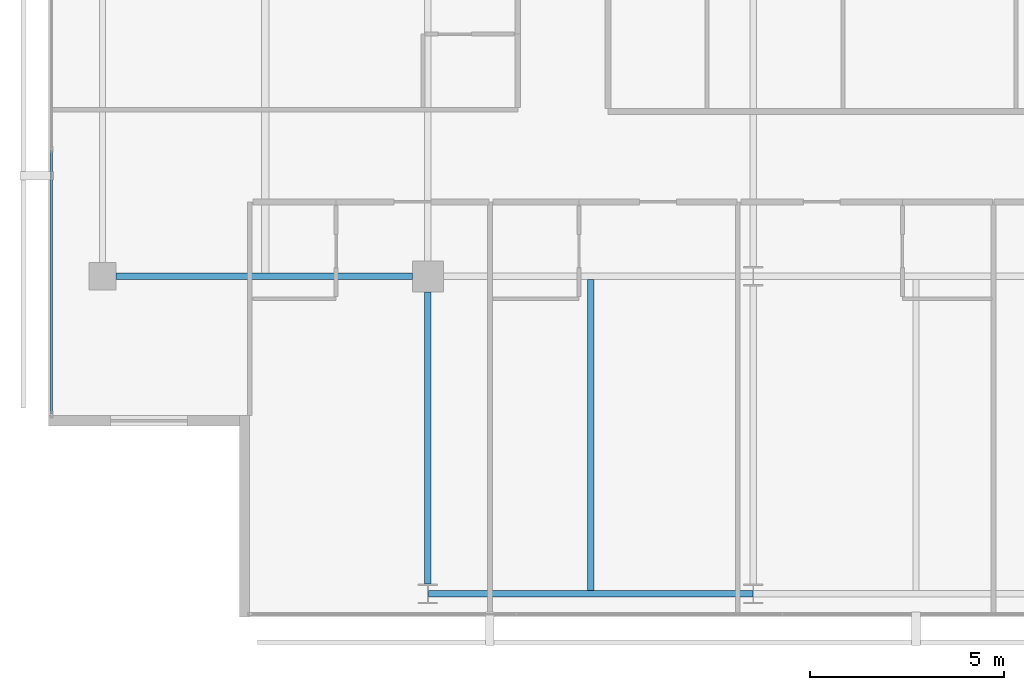
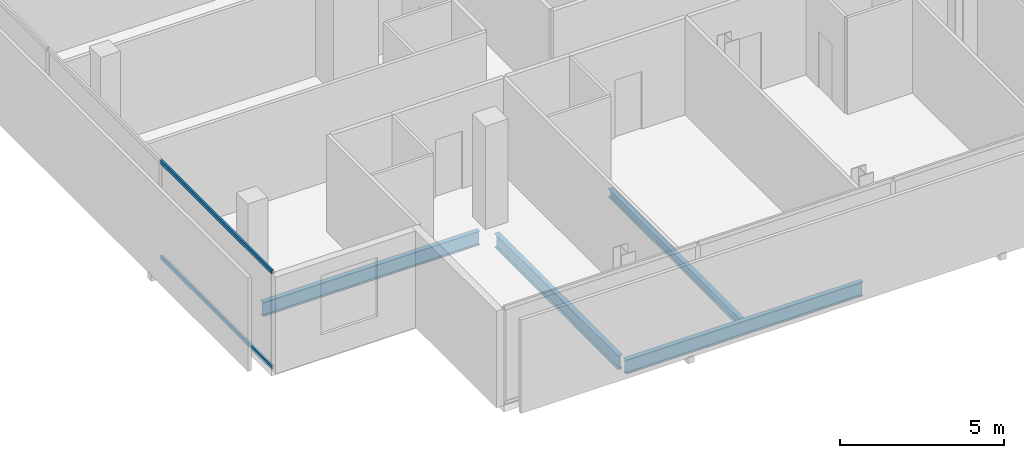
# One storey, part 3 of 26: 4 beams, 2 members, 1 element without a shape of its own.
"""IFC4 building model written with IfcOpenShell, lengths in metres."""

import ifcopenshell
import ifcopenshell.guid

model = None  # the IFC model being written
_history = None  # IfcOwnerHistory: only IFC2X3 demands one
_inside = {}  # id of a spatial element -> (the spatial element, [elements in it])
_under = {}  # id of a project, library or spatial element -> (it, [spatial elements below it])
_declared = {}  # id of a project -> (the project, [libraries it declares])
_typed = {}  # id of a type object -> (the type object, [elements of that type])
_made_of = {}  # id of a material, layer set ... -> (it, [elements and type objects made of it])


def new_model(schema):
    """Start an empty IFC model of exactly this schema.

    Asked for "IFC4X3", IfcOpenShell would pick the latest addendum, in which some entities
    have other attributes; the version numbers below select the first issue.
    IFC2X3 requires an IfcOwnerHistory on every rooted entity: one is made here for all.
    """
    global model, _history
    if schema == "IFC4X3":
        model = ifcopenshell.file(schema_version=(4, 3, 0, 0))
    else:
        model = ifcopenshell.file(schema=schema)
    _inside.clear()
    _under.clear()
    _declared.clear()
    _typed.clear()
    _made_of.clear()
    _history = None
    if model.schema == "IFC2X3":
        org = make("IfcOrganization", Name="unknown")
        user = make(
            "IfcPersonAndOrganization",
            ThePerson=make("IfcPerson", FamilyName="unknown"),
            TheOrganization=org,
        )
        app = make(
            "IfcApplication",
            ApplicationDeveloper=org,
            Version="unknown",
            ApplicationFullName="unknown",
            ApplicationIdentifier="unknown",
        )
        _history = make(
            "IfcOwnerHistory",
            OwningUser=user,
            OwningApplication=app,
            ChangeAction="ADDED",
            CreationDate=0,
        )
    return model


def make(cls, **values):
    """One entity of the class cls with the attributes given. An attribute that is None is left unset."""
    return model.create_entity(
        cls, **{name: value for name, value in values.items() if value is not None}
    )


def rooted(cls, **values):
    """An entity with a GlobalId (a new one), such as an element, a storey or a relation."""
    return make(cls, GlobalId=ifcopenshell.guid.new(), OwnerHistory=_history, **values)


def si_unit(unit_type, name, prefix=None):
    """IfcSIUnit, for example si_unit("LENGTHUNIT", "METRE", prefix="MILLI")."""
    return make("IfcSIUnit", UnitType=unit_type, Prefix=prefix, Name=name)


def assignment(units):
    """IfcUnitAssignment: the units of a project."""
    return None if units is None else make("IfcUnitAssignment", Units=units)


def point(xyz):
    """IfcCartesianPoint."""
    return None if xyz is None else make("IfcCartesianPoint", Coordinates=xyz)


def direction(xyz):
    """IfcDirection."""
    return None if xyz is None else make("IfcDirection", DirectionRatios=xyz)


def frame(location, z_axis=None, x_axis=None):
    """IfcAxis2Placement3D, a coordinate frame: its origin and axes. An axis left out is left unset."""
    return make(
        "IfcAxis2Placement3D",
        Location=point(location),
        Axis=direction(z_axis),
        RefDirection=direction(x_axis),
    )


def frame_2d(location, x_axis=None):
    """IfcAxis2Placement2D, a coordinate frame in the plane: its origin and x axis."""
    return make(
        "IfcAxis2Placement2D", Location=point(location), RefDirection=direction(x_axis)
    )


def origin():
    """The frame at (0, 0, 0) with its axes left unset."""
    return frame((0.0, 0.0, 0.0))


def origin_2d():
    """The frame at (0, 0) in the plane with its x axis left unset."""
    return frame_2d((0.0, 0.0))


def place(relative_to, where):
    """IfcLocalPlacement: puts the frame where relative to a parent placement (None: the world)."""
    return make(
        "IfcLocalPlacement", PlacementRelTo=relative_to, RelativePlacement=where
    )


def context(
    kind, dimensions, precision=None, world=None, true_north=None, identifier=None
):
    """IfcGeometricRepresentationContext, for example the 3D "Model" context."""
    return make(
        "IfcGeometricRepresentationContext",
        ContextIdentifier=identifier,
        ContextType=kind,
        CoordinateSpaceDimension=dimensions,
        Precision=precision,
        WorldCoordinateSystem=world,
        TrueNorth=true_north,
    )


def subcontext(parent, identifier, kind, view, scale=None):
    """IfcGeometricRepresentationSubContext, for example "Body" below "Model"."""
    return make(
        "IfcGeometricRepresentationSubContext",
        ContextIdentifier=identifier,
        ContextType=kind,
        ParentContext=parent,
        TargetScale=scale,
        TargetView=view,
    )


def project(units=None, contexts=None):
    """IfcProject with its units and contexts."""
    return rooted(
        "IfcProject",
        Name="project",
        RepresentationContexts=contexts,
        UnitsInContext=assignment(units),
    )


def spatial(cls, under=None, at=None, **own):
    """A site, building, storey or space (cls), placed at a placement, below another one or the project."""
    s = rooted(cls, ObjectPlacement=at, **own)
    if under is not None:
        _under.setdefault(under.id(), (under, []))[1].append(s)
    return s


def profile(cls, at=None, kind="AREA", **sizes):
    """A parametric profile (cls). Its sizes go by their IFC names, for example OverallWidth=200.0."""
    return make(cls, ProfileType=kind, Position=at, **sizes)


def hollow_rectangle(**sizes):
    """IfcRectangleHollowProfileDef."""
    return profile("IfcRectangleHollowProfileDef", **sizes)


def i_section(**sizes):
    """IfcIShapeProfileDef."""
    return profile("IfcIShapeProfileDef", **sizes)


def extrude(swept, where, along, depth):
    """IfcExtrudedAreaSolid: the profile swept, set in the frame where, extruded along a direction by depth."""
    return make(
        "IfcExtrudedAreaSolid",
        SweptArea=swept,
        Position=where,
        ExtrudedDirection=direction(along),
        Depth=depth,
    )


def shape(context_of_items, identifier, shape_type, items):
    """IfcShapeRepresentation: the items that make up one representation, for example the "Body"."""
    return make(
        "IfcShapeRepresentation",
        ContextOfItems=context_of_items,
        RepresentationIdentifier=identifier,
        RepresentationType=shape_type,
        Items=items,
    )


def material(Name=None, Category=None):
    """IfcMaterial."""
    return make("IfcMaterial", Name=Name, Category=Category)


def layer(
    of_material, thickness, ventilated=None, Name=None, Category=None, Priority=None
):
    """IfcMaterialLayer: one layer of a wall or slab, of a material (None: an air gap)."""
    return make(
        "IfcMaterialLayer",
        Material=of_material,
        LayerThickness=thickness,
        IsVentilated=ventilated,
        Name=Name,
        Category=Category,
        Priority=Priority,
    )


def layer_set(layers, Name=None):
    """IfcMaterialLayerSet."""
    return make("IfcMaterialLayerSet", MaterialLayers=layers, LayerSetName=Name)


def material_profile(
    of_material, cross_section, Name=None, Category=None, Priority=None
):
    """IfcMaterialProfile: a cross section and its material."""
    return make(
        "IfcMaterialProfile",
        Name=Name,
        Material=of_material,
        Profile=cross_section,
        Priority=Priority,
        Category=Category,
    )


def profile_set(profiles, Name=None, composite=None):
    """IfcMaterialProfileSet."""
    return make(
        "IfcMaterialProfileSet",
        Name=Name,
        MaterialProfiles=profiles,
        CompositeProfile=composite,
    )


def made_of(thing, what):
    """Note that an element or type object is made of a material, layer set ...; save() writes the relation."""
    if what is not None:
        _made_of.setdefault(what.id(), (what, []))[1].append(thing)
    return thing


def type_object(cls, material=None, **own):
    """A type object (cls), such as IfcWallType, which elements share."""
    return made_of(rooted(cls, **own), material)


def element(
    cls,
    number,
    at=None,
    inside=None,
    cuts=None,
    type_object=None,
    material=None,
    context=None,
    identifier="Body",
    shape_type=None,
    held_by="IfcProductDefinitionShape",
    body=None,
    shapes=None,
    **own,
):
    """One element of the class cls, such as IfcWall. Its Tag is "e" and its number.

    at: its placement. inside: the storey or other place that contains it. cuts: it is an
    opening in that element (IfcRelVoidsElement). A single representation is given by context,
    identifier, shape_type and body (its items); several are given by shapes. held_by: the class
    of the entity that holds the representations. save() writes the other relations.
    """
    e = rooted(cls, Tag="e%d" % number, ObjectPlacement=at, **own)
    if body is not None:
        shapes = [shape(context, identifier, shape_type, body)]
    if shapes is not None:
        e.Representation = make(held_by, Representations=shapes)
    if inside is not None:
        _inside.setdefault(inside.id(), (inside, []))[1].append(e)
    if cuts is not None:
        rooted(
            "IfcRelVoidsElement", RelatingBuildingElement=cuts, RelatedOpeningElement=e
        )
    if type_object is not None:
        _typed.setdefault(type_object.id(), (type_object, []))[1].append(e)
    return made_of(e, material)


def aggregate(whole, parts):
    """IfcRelAggregates: a whole, such as a stair, and the parts it consists of."""
    return rooted("IfcRelAggregates", RelatingObject=whole, RelatedObjects=parts)


def save(model, path):
    """Write the relations noted so far, then the file.

    IfcRelAggregates (storeys below a building ...), IfcRelContainedInSpatialStructure (elements
    in a storey), IfcRelDefinesByType, IfcRelAssociatesMaterial and IfcRelDeclares: one each for
    every whole, place, type object, material and project.
    """
    for whole, parts in _under.values():
        aggregate(whole, parts)
    for where, things in _inside.values():
        rooted(
            "IfcRelContainedInSpatialStructure",
            RelatedElements=things,
            RelatingStructure=where,
        )
    for kind, things in _typed.values():
        rooted("IfcRelDefinesByType", RelatedObjects=things, RelatingType=kind)
    for what, things in _made_of.values():
        rooted("IfcRelAssociatesMaterial", RelatedObjects=things, RelatingMaterial=what)
    for by, libraries in _declared.values():
        rooted("IfcRelDeclares", RelatingContext=by, RelatedDefinitions=libraries)
    model.write(path)


model = new_model("IFC4")

# Units and contexts
model_context = context("Model", 3, precision=1e-05, world=origin(), true_north=direction((0.0, 1.0)))
body_context = subcontext(model_context, "Body", "Model", "MODEL_VIEW")
ifc_project = project(units=[si_unit("LENGTHUNIT", "METRE"), si_unit("AREAUNIT", "SQUARE_METRE"), si_unit("VOLUMEUNIT", "CUBIC_METRE"), si_unit("PLANEANGLEUNIT", "RADIAN"), si_unit("MASSUNIT", "GRAM", prefix="KILO")], contexts=[model_context])

# Site, building, storey
site_placement = place(None, origin())
site = spatial("IfcSite", under=ifc_project, at=site_placement, CompositionType="ELEMENT")
building_placement = place(site_placement, origin())
building = spatial("IfcBuilding", under=site, at=building_placement, Name="Maruvema Waterfront Hotel and Observation Tower", CompositionType="ELEMENT")
storey_placement = place(building_placement, frame((0.0, 0.0, 285.60009765625)))
storey = spatial("IfcBuildingStorey", under=building, at=storey_placement, Name="L70", CompositionType="ELEMENT", Elevation=285.60009765625)

# Curtain wall, members
ifc_material_1 = material(Name="Anodised bronze aluminium and solar-control low-E IGU", Category="aluminium")
ifc_layer = layer(ifc_material_1, 0.159912109375, Name="Zone 3 Champagne Inner Thermal Curtain Wall System CW-04")
ifc_layer_set = layer_set([ifc_layer], Name="Anodised bronze aluminium and solar-control low-E IGU")
curtain_wall_type = type_object("IfcCurtainWallType", Name="Zone 3 Champagne Inner Thermal Curtain Wall System CW-04", PredefinedType="USERDEFINED", material=ifc_layer_set)
curtain_wall_placement = place(storey_placement, origin())
curtain_wall = element("IfcCurtainWall", 1, at=curtain_wall_placement, inside=storey, type_object=curtain_wall_type, Name="L70 Curtain Wall CW-L70-W", ObjectType="UNITISED CURTAIN WALL", PredefinedType="USERDEFINED")
ifc_material_2 = material(Name="Anodised architectural bronze aluminium", Category="aluminium")
ifc_material_profile_1 = material_profile(ifc_material_2, hollow_rectangle(XDim=0.070068359375, YDim=0.14990234375, WallThickness=0.00390625, at=origin_2d()), Name="ALU-T70x150")
ifc_profile_set_1 = profile_set([ifc_material_profile_1], Name="Anodised architectural bronze aluminium")
member_type = type_object("IfcMemberType", Name="Curtain Wall Horizontal Transom ALU-T70x150", PredefinedType="USERDEFINED", material=ifc_profile_set_1)
member_1_placement = place(storey_placement, frame((15.47998046875, 21.25, 0.02978515625), z_axis=(0.0, -1.0, 0.0), x_axis=(1.0, 0.0, 0.0)))
member_1 = element("IfcMember", 2, at=member_1_placement, type_object=member_type, Name="CW-04 transom 5.1", ObjectType="TRANSOM", PredefinedType="USERDEFINED", context=body_context, shape_type="SweptSolid", body=[
    extrude(hollow_rectangle(XDim=0.070068359375, YDim=0.14990234375, WallThickness=0.00390625, at=origin_2d()), origin(), (0.0, 0.0, 1.0), 6.7900390625),
])
member_2_placement = place(storey_placement, frame((15.47998046875, 21.25, 3.579833984375), z_axis=(0.0, -1.0, 0.0), x_axis=(1.0, 0.0, 0.0)))
member_2 = element("IfcMember", 3, at=member_2_placement, type_object=member_type, Name="CW-04 transom 5.2", ObjectType="TRANSOM", PredefinedType="USERDEFINED", context=body_context, shape_type="SweptSolid", body=[
    extrude(hollow_rectangle(XDim=0.070068359375, YDim=0.14990234375, WallThickness=0.00390625, at=origin_2d()), origin(), (0.0, 0.0, 1.0), 6.7900390625),
])
aggregate(curtain_wall, [member_1, member_2])

# Beams
ifc_material_3 = material(Name="Steel ASTM A572 Grade 50", Category="steel")
ifc_material_profile_2 = material_profile(ifc_material_3, i_section(OverallWidth=0.166015625, OverallDepth=0.529052734375, WebThickness=0.009765625, FlangeThickness=0.013671875, FilletRadius=0.014892578125, at=origin_2d()), Name="W530x74.0")
ifc_profile_set_2 = profile_set([ifc_material_profile_2], Name="Steel ASTM A572 Grade 50")
beam_type_1 = type_object("IfcBeamType", Name="Primary Floor Girder W530x74.0", PredefinedType="BEAM", material=ifc_profile_set_2)
beam_1_placement = place(storey_placement, frame((25.2109375, 9.800048828125, -0.504638671875), z_axis=(1.0, 0.0, 0.0), x_axis=(0.0, 1.0, 0.0)))
element("IfcBeam", 4, at=beam_1_placement, inside=storey, type_object=beam_type_1, Name="L70 Floor Girder EW-01", PredefinedType="BEAM", context=body_context, shape_type="SweptSolid", body=[
    extrude(i_section(OverallWidth=0.166015625, OverallDepth=0.529052734375, WebThickness=0.009765625, FlangeThickness=0.013671875, FilletRadius=0.014892578125, at=origin_2d()), origin(), (0.0, 0.0, 1.0), 8.378173828125),
])
beam_2_placement = place(storey_placement, frame((17.14990234375, 18.0, -0.504638671875), z_axis=(1.0, 0.0, 0.0), x_axis=(0.0, 1.0, 0.0)))
element("IfcBeam", 5, at=beam_2_placement, inside=storey, type_object=beam_type_1, Name="L70 Floor Girder EW-04", PredefinedType="BEAM", context=body_context, shape_type="SweptSolid", body=[
    extrude(i_section(OverallWidth=0.166015625, OverallDepth=0.529052734375, WebThickness=0.009765625, FlangeThickness=0.013671875, FilletRadius=0.014892578125, at=origin_2d()), origin(), (0.0, 0.0, 1.0), 7.650146484375),
])
beam_3_placement = place(storey_placement, frame((25.199951171875, 10.050048828125, -0.504638671875), z_axis=(0.0, 1.0, 0.0), x_axis=(-1.0, 0.0, 0.0)))
element("IfcBeam", 6, at=beam_3_placement, inside=storey, type_object=beam_type_1, Name="L70 Floor Girder NS-04", PredefinedType="BEAM", context=body_context, shape_type="SweptSolid", body=[
    extrude(i_section(OverallWidth=0.166015625, OverallDepth=0.529052734375, WebThickness=0.009765625, FlangeThickness=0.013671875, FilletRadius=0.014892578125, at=origin_2d()), origin(), (0.0, 0.0, 1.0), 7.550048828125),
])
ifc_material_4 = material(Name="Steel ASTM A572 Grade 50", Category="steel")
ifc_material_profile_3 = material_profile(ifc_material_4, i_section(OverallWidth=0.1669921875, OverallDepth=0.31689453125, WebThickness=0.007568359375, FlangeThickness=0.01318359375, FilletRadius=0.012939453125, at=origin_2d()), Name="W310x52.0")
ifc_profile_set_3 = profile_set([ifc_material_profile_3], Name="Steel ASTM A572 Grade 50")
beam_type_2 = type_object("IfcBeamType", Name="Secondary Floor Joist W310x52.0", PredefinedType="JOIST", material=ifc_profile_set_3)
beam_4_placement = place(storey_placement, frame((29.39990234375, 9.883056640625, -0.398681640625), z_axis=(0.0, 1.0, 0.0), x_axis=(-1.0, 0.0, 0.0)))
element("IfcBeam", 7, at=beam_4_placement, inside=storey, type_object=beam_type_2, Name="L70 Secondary Floor Joist JS-04", PredefinedType="JOIST", context=body_context, shape_type="SweptSolid", body=[
    extrude(i_section(OverallWidth=0.1669921875, OverallDepth=0.31689453125, WebThickness=0.007568359375, FlangeThickness=0.01318359375, FilletRadius=0.012939453125, at=origin_2d()), origin(), (0.0, 0.0, 1.0), 8.033935546875),
])

save(model, "model.ifc")
